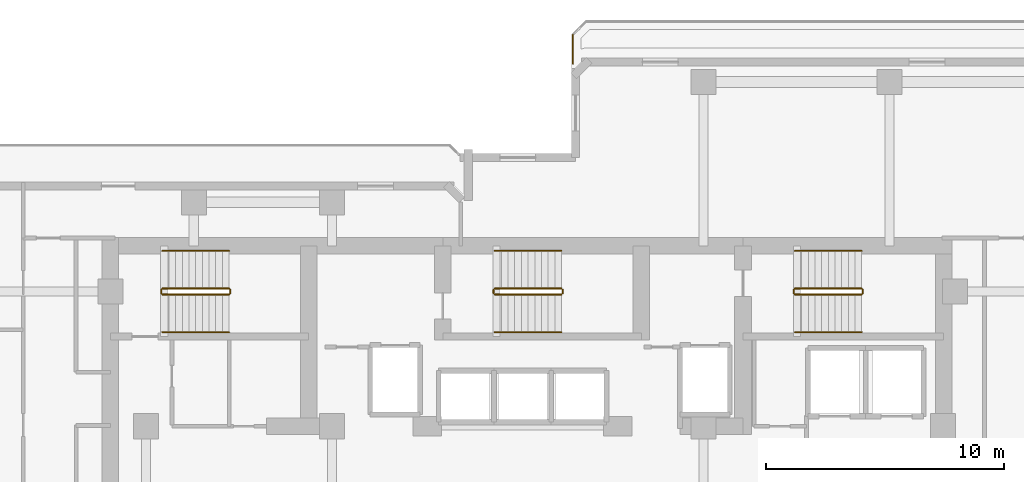
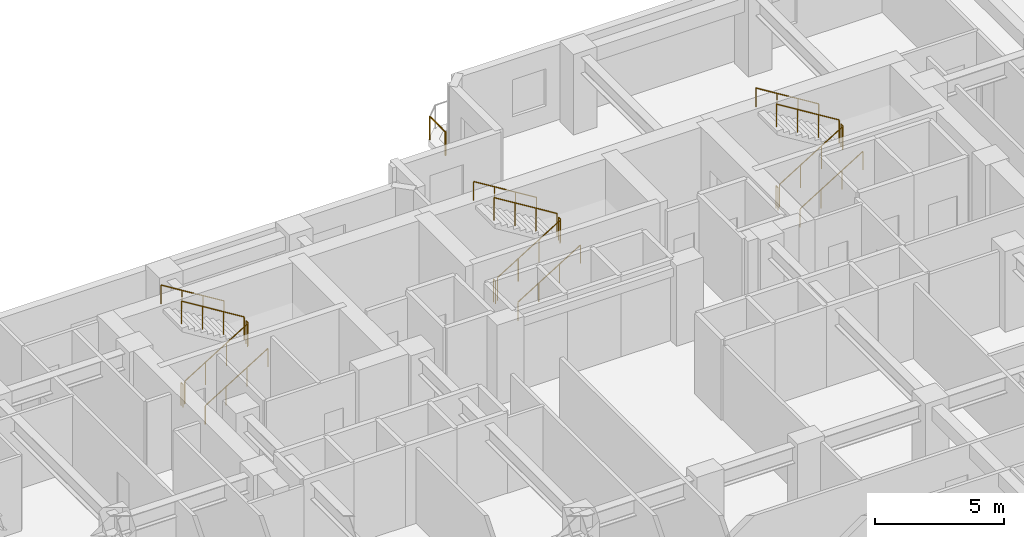
# One storey, part 11 of 11: 19 railings.
"""IFC4 building model written with IfcOpenShell, lengths in metres."""

from ifc_helpers import new_model, si_unit, direction, frame, origin, origin_2d, place, context, subcontext, project, spatial, circle, extrude, material, type_object, element, save


model = new_model("IFC4")

# Units and contexts
model_context = context("Model", 3, precision=1e-05, world=origin(), true_north=direction((0.0, 1.0)))
body_context = subcontext(model_context, "Body", "Model", "MODEL_VIEW")
ifc_project = project(units=[si_unit("LENGTHUNIT", "METRE"), si_unit("AREAUNIT", "SQUARE_METRE"), si_unit("VOLUMEUNIT", "CUBIC_METRE"), si_unit("PLANEANGLEUNIT", "RADIAN"), si_unit("MASSUNIT", "GRAM", prefix="KILO")], contexts=[model_context])

# Site, building, storey
site_placement = place(None, origin())
site = spatial("IfcSite", under=ifc_project, at=site_placement, CompositionType="ELEMENT")
building_placement = place(site_placement, origin())
building = spatial("IfcBuilding", under=site, at=building_placement, Name="Kestravale Grand Hotel", CompositionType="ELEMENT")
storey_placement = place(building_placement, frame((0.0, 0.0, 134.60009765625)))
storey = spatial("IfcBuildingStorey", under=building, at=storey_placement, Name="L33", CompositionType="ELEMENT", Elevation=134.60009765625)

# Railings
ifc_material_1 = material(Name="Champagne-bronze stainless steel and laminated glass guard", Category="steel")
railing_type_1 = type_object("IfcRailingType", Name="RL-EXT-1100", PredefinedType="GUARDRAIL", material=ifc_material_1)
railing_1_placement = place(storey_placement, frame((41.31005859375, 47.97119140625, 0.0)))
element("IfcRailing", 1, at=railing_1_placement, inside=storey, type_object=railing_type_1, Name="L33 outdoor terrace guard 2", PredefinedType="GUARDRAIL", context=body_context, shape_type="SweptSolid", body=[
    extrude(circle(Radius=0.02392578125, at=origin_2d()), frame((0.0, 0.0, 1.09619140625), z_axis=(0.0, 1.0, 0.0), x_axis=(-1.0, 0.0, 0.0)), (0.0, 0.0, 1.0), 1.203857421875),
    extrude(circle(Radius=0.02099609375, at=origin_2d()), origin(), (0.0, 0.0, 1.0), 1.072021484375),
    extrude(circle(Radius=0.02099609375, at=origin_2d()), frame((0.0, 1.203857421875, 0.0)), (0.0, 0.0, 1.0), 1.072021484375),
])
ifc_material_2 = material(Name="Painted tubular steel stair well guard", Category="steel")
railing_type_2 = type_object("IfcRailingType", Name="RL-ST-GRD1100", PredefinedType="GUARDRAIL", material=ifc_material_2)
railing_2_placement = place(storey_placement, frame((24.080078125, 38.280029296875, 0.172607421875)))
element("IfcRailing", 2, at=railing_2_placement, inside=storey, type_object=railing_type_2, Name="L33 ST-1 stair guard 1", PredefinedType="GUARDRAIL", context=body_context, shape_type="SweptSolid", body=[
    extrude(circle(Radius=0.02392578125, at=origin_2d()), frame((0.0, 0.0, 1.076171875), z_axis=(0.851069175582, 0.0, 0.525053576669), x_axis=(0.0, 1.0, 0.0)), (0.0, 0.0, 1.0), 3.289794921875),
    extrude(circle(Radius=0.02099609375, at=origin_2d()), origin(), (0.0, 0.0, 1.0), 1.052001953125),
    extrude(circle(Radius=0.02099609375, at=origin_2d()), frame((0.933349609375, 0.0, 0.57568359375)), (0.0, 0.0, 1.0), 1.052001953125),
    extrude(circle(Radius=0.02099609375, at=origin_2d()), frame((1.866455078125, 0.0, 1.151611328125)), (0.0, 0.0, 1.0), 1.052001953125),
    extrude(circle(Radius=0.02099609375, at=origin_2d()), frame((2.7998046875, 0.0, 1.727294921875)), (0.0, 0.0, 1.0), 1.052001953125),
])
railing_3_placement = place(storey_placement, frame((26.929931640625, 38.330078125, 1.89990234375)))
element("IfcRailing", 3, at=railing_3_placement, inside=storey, type_object=railing_type_2, Name="L33 ST-1 stair guard 2", PredefinedType="GUARDRAIL", context=body_context, shape_type="SweptSolid", body=[
    extrude(circle(Radius=0.02392578125, at=origin_2d()), frame((0.0, 0.0, 1.076171875), z_axis=(0.0, 1.0, 0.0), x_axis=(-1.0, 0.0, 0.0)), (0.0, 0.0, 1.0), 0.14990234375),
    extrude(circle(Radius=0.02099609375, at=origin_2d()), origin(), (0.0, 0.0, 1.0), 1.052001953125),
    extrude(circle(Radius=0.02099609375, at=origin_2d()), frame((0.0, 0.14990234375, 0.0)), (0.0, 0.0, 1.0), 1.052001953125),
])
railing_4_placement = place(storey_placement, frame((26.8798828125, 38.530029296875, 2.072509765625)))
element("IfcRailing", 4, at=railing_4_placement, inside=storey, type_object=railing_type_2, Name="L33 ST-1 stair guard 3", PredefinedType="GUARDRAIL", context=body_context, shape_type="SweptSolid", body=[
    extrude(circle(Radius=0.02392578125, at=origin_2d()), frame((0.0, 0.0, 1.076171875), z_axis=(-0.851069175582, 0.0, 0.525053576669), x_axis=(0.0, -1.0, 0.0)), (0.0, 0.0, 1.0), 3.289794921875),
    extrude(circle(Radius=0.02099609375, at=origin_2d()), origin(), (0.0, 0.0, 1.0), 1.052001953125),
    extrude(circle(Radius=0.02099609375, at=origin_2d()), frame((-0.933349609375, 0.0, 0.57568359375)), (0.0, 0.0, 1.0), 1.052001953125),
    extrude(circle(Radius=0.02099609375, at=origin_2d()), frame((-1.866455078125, 0.0, 1.151611328125)), (0.0, 0.0, 1.0), 1.052001953125),
    extrude(circle(Radius=0.02099609375, at=origin_2d()), frame((-2.7998046875, 0.0, 1.727294921875)), (0.0, 0.0, 1.0), 1.052001953125),
])
railing_5_placement = place(storey_placement, frame((24.030029296875, 38.330078125, 0.0)))
element("IfcRailing", 5, at=railing_5_placement, inside=storey, type_object=railing_type_2, Name="L33 ST-1 stair guard 4", PredefinedType="GUARDRAIL", context=body_context, shape_type="SweptSolid", body=[
    extrude(circle(Radius=0.02392578125, at=origin_2d()), frame((0.0, 0.0, 1.076171875), z_axis=(0.0, 1.0, 0.0), x_axis=(-1.0, 0.0, 0.0)), (0.0, 0.0, 1.0), 0.14990234375),
    extrude(circle(Radius=0.02099609375, at=origin_2d()), origin(), (0.0, 0.0, 1.0), 1.052001953125),
    extrude(circle(Radius=0.02099609375, at=origin_2d()), frame((0.0, 0.14990234375, 0.0)), (0.0, 0.0, 1.0), 1.052001953125),
])
railing_6_placement = place(storey_placement, frame((38.030029296875, 38.280029296875, 0.172607421875)))
element("IfcRailing", 6, at=railing_6_placement, inside=storey, type_object=railing_type_2, Name="L33 ST-2 stair guard 1", PredefinedType="GUARDRAIL", context=body_context, shape_type="SweptSolid", body=[
    extrude(circle(Radius=0.02392578125, at=origin_2d()), frame((0.0, 0.0, 1.076171875), z_axis=(0.851089632645, 0.0, 0.525020415988), x_axis=(0.0, 1.0, 0.0)), (0.0, 0.0, 1.0), 3.2900390625),
    extrude(circle(Radius=0.02099609375, at=origin_2d()), origin(), (0.0, 0.0, 1.0), 1.052001953125),
    extrude(circle(Radius=0.02099609375, at=origin_2d()), frame((0.933349609375, 0.0, 0.57568359375)), (0.0, 0.0, 1.0), 1.052001953125),
    extrude(circle(Radius=0.02099609375, at=origin_2d()), frame((1.86669921875, 0.0, 1.151611328125)), (0.0, 0.0, 1.0), 1.052001953125),
    extrude(circle(Radius=0.02099609375, at=origin_2d()), frame((2.800048828125, 0.0, 1.727294921875)), (0.0, 0.0, 1.0), 1.052001953125),
])
railing_7_placement = place(storey_placement, frame((40.8798828125, 38.330078125, 1.89990234375)))
element("IfcRailing", 7, at=railing_7_placement, inside=storey, type_object=railing_type_2, Name="L33 ST-2 stair guard 2", PredefinedType="GUARDRAIL", context=body_context, shape_type="SweptSolid", body=[
    extrude(circle(Radius=0.02392578125, at=origin_2d()), frame((0.0, 0.0, 1.076171875), z_axis=(0.0, 1.0, 0.0), x_axis=(-1.0, 0.0, 0.0)), (0.0, 0.0, 1.0), 0.14990234375),
    extrude(circle(Radius=0.02099609375, at=origin_2d()), origin(), (0.0, 0.0, 1.0), 1.052001953125),
    extrude(circle(Radius=0.02099609375, at=origin_2d()), frame((0.0, 0.14990234375, 0.0)), (0.0, 0.0, 1.0), 1.052001953125),
])
railing_8_placement = place(storey_placement, frame((40.830078125, 38.530029296875, 2.072509765625)))
element("IfcRailing", 8, at=railing_8_placement, inside=storey, type_object=railing_type_2, Name="L33 ST-2 stair guard 3", PredefinedType="GUARDRAIL", context=body_context, shape_type="SweptSolid", body=[
    extrude(circle(Radius=0.02392578125, at=origin_2d()), frame((0.0, 0.0, 1.076171875), z_axis=(-0.851089632645, 0.0, 0.525020415988), x_axis=(0.0, -1.0, 0.0)), (0.0, 0.0, 1.0), 3.2900390625),
    extrude(circle(Radius=0.02099609375, at=origin_2d()), origin(), (0.0, 0.0, 1.0), 1.052001953125),
    extrude(circle(Radius=0.02099609375, at=origin_2d()), frame((-0.933349609375, 0.0, 0.57568359375)), (0.0, 0.0, 1.0), 1.052001953125),
    extrude(circle(Radius=0.02099609375, at=origin_2d()), frame((-1.86669921875, 0.0, 1.151611328125)), (0.0, 0.0, 1.0), 1.052001953125),
    extrude(circle(Radius=0.02099609375, at=origin_2d()), frame((-2.800048828125, 0.0, 1.727294921875)), (0.0, 0.0, 1.0), 1.052001953125),
])
railing_9_placement = place(storey_placement, frame((37.97998046875, 38.330078125, 0.0)))
element("IfcRailing", 9, at=railing_9_placement, inside=storey, type_object=railing_type_2, Name="L33 ST-2 stair guard 4", PredefinedType="GUARDRAIL", context=body_context, shape_type="SweptSolid", body=[
    extrude(circle(Radius=0.02392578125, at=origin_2d()), frame((0.0, 0.0, 1.076171875), z_axis=(0.0, 1.0, 0.0), x_axis=(-1.0, 0.0, 0.0)), (0.0, 0.0, 1.0), 0.14990234375),
    extrude(circle(Radius=0.02099609375, at=origin_2d()), origin(), (0.0, 0.0, 1.0), 1.052001953125),
    extrude(circle(Radius=0.02099609375, at=origin_2d()), frame((0.0, 0.14990234375, 0.0)), (0.0, 0.0, 1.0), 1.052001953125),
])
railing_10_placement = place(storey_placement, frame((50.6298828125, 38.280029296875, 0.172607421875)))
element("IfcRailing", 10, at=railing_10_placement, inside=storey, type_object=railing_type_2, Name="L33 ST-3 stair guard 1", PredefinedType="GUARDRAIL", context=body_context, shape_type="SweptSolid", body=[
    extrude(circle(Radius=0.02392578125, at=origin_2d()), frame((0.0, 0.0, 1.076171875), z_axis=(0.851089632645, 0.0, 0.525020415988), x_axis=(0.0, 1.0, 0.0)), (0.0, 0.0, 1.0), 3.2900390625),
    extrude(circle(Radius=0.02099609375, at=origin_2d()), origin(), (0.0, 0.0, 1.0), 1.052001953125),
    extrude(circle(Radius=0.02099609375, at=origin_2d()), frame((0.933349609375, 0.0, 0.57568359375)), (0.0, 0.0, 1.0), 1.052001953125),
    extrude(circle(Radius=0.02099609375, at=origin_2d()), frame((1.86669921875, 0.0, 1.151611328125)), (0.0, 0.0, 1.0), 1.052001953125),
    extrude(circle(Radius=0.02099609375, at=origin_2d()), frame((2.800048828125, 0.0, 1.727294921875)), (0.0, 0.0, 1.0), 1.052001953125),
])
railing_11_placement = place(storey_placement, frame((53.47998046875, 38.330078125, 1.89990234375)))
element("IfcRailing", 11, at=railing_11_placement, inside=storey, type_object=railing_type_2, Name="L33 ST-3 stair guard 2", PredefinedType="GUARDRAIL", context=body_context, shape_type="SweptSolid", body=[
    extrude(circle(Radius=0.02392578125, at=origin_2d()), frame((0.0, 0.0, 1.076171875), z_axis=(0.0, 1.0, 0.0), x_axis=(-1.0, 0.0, 0.0)), (0.0, 0.0, 1.0), 0.14990234375),
    extrude(circle(Radius=0.02099609375, at=origin_2d()), origin(), (0.0, 0.0, 1.0), 1.052001953125),
    extrude(circle(Radius=0.02099609375, at=origin_2d()), frame((0.0, 0.14990234375, 0.0)), (0.0, 0.0, 1.0), 1.052001953125),
])
railing_12_placement = place(storey_placement, frame((53.429931640625, 38.530029296875, 2.072509765625)))
element("IfcRailing", 12, at=railing_12_placement, inside=storey, type_object=railing_type_2, Name="L33 ST-3 stair guard 3", PredefinedType="GUARDRAIL", context=body_context, shape_type="SweptSolid", body=[
    extrude(circle(Radius=0.02392578125, at=origin_2d()), frame((0.0, 0.0, 1.076171875), z_axis=(-0.851089632645, 0.0, 0.525020415988), x_axis=(0.0, -1.0, 0.0)), (0.0, 0.0, 1.0), 3.2900390625),
    extrude(circle(Radius=0.02099609375, at=origin_2d()), origin(), (0.0, 0.0, 1.0), 1.052001953125),
    extrude(circle(Radius=0.02099609375, at=origin_2d()), frame((-0.933349609375, 0.0, 0.57568359375)), (0.0, 0.0, 1.0), 1.052001953125),
    extrude(circle(Radius=0.02099609375, at=origin_2d()), frame((-1.86669921875, 0.0, 1.151611328125)), (0.0, 0.0, 1.0), 1.052001953125),
    extrude(circle(Radius=0.02099609375, at=origin_2d()), frame((-2.800048828125, 0.0, 1.727294921875)), (0.0, 0.0, 1.0), 1.052001953125),
])
railing_13_placement = place(storey_placement, frame((50.580078125, 38.330078125, 0.0)))
element("IfcRailing", 13, at=railing_13_placement, inside=storey, type_object=railing_type_2, Name="L33 ST-3 stair guard 4", PredefinedType="GUARDRAIL", context=body_context, shape_type="SweptSolid", body=[
    extrude(circle(Radius=0.02392578125, at=origin_2d()), frame((0.0, 0.0, 1.076171875), z_axis=(0.0, 1.0, 0.0), x_axis=(-1.0, 0.0, 0.0)), (0.0, 0.0, 1.0), 0.14990234375),
    extrude(circle(Radius=0.02099609375, at=origin_2d()), origin(), (0.0, 0.0, 1.0), 1.052001953125),
    extrude(circle(Radius=0.02099609375, at=origin_2d()), frame((0.0, 0.14990234375, 0.0)), (0.0, 0.0, 1.0), 1.052001953125),
])
ifc_material_3 = material(Name="Brushed stainless steel wall handrail", Category="steel")
railing_type_3 = type_object("IfcRailingType", Name="RL-ST-HND900", PredefinedType="HANDRAIL", material=ifc_material_3)
railing_14_placement = place(storey_placement, frame((24.080078125, 36.699951171875, 0.172607421875)))
element("IfcRailing", 14, at=railing_14_placement, inside=storey, type_object=railing_type_3, Name="L33 ST-1 stair handrail 1", PredefinedType="HANDRAIL", context=body_context, shape_type="SweptSolid", body=[
    extrude(circle(Radius=0.02392578125, at=origin_2d()), frame((0.0, 0.0, 0.8759765625), z_axis=(0.851069175582, 0.0, 0.525053576669), x_axis=(0.0, 1.0, 0.0)), (0.0, 0.0, 1.0), 3.289794921875),
    extrude(circle(Radius=0.02099609375, at=origin_2d()), origin(), (0.0, 0.0, 1.0), 0.851806640625),
    extrude(circle(Radius=0.02099609375, at=origin_2d()), frame((0.933349609375, 0.0, 0.57568359375)), (0.0, 0.0, 1.0), 0.851806640625),
    extrude(circle(Radius=0.02099609375, at=origin_2d()), frame((1.866455078125, 0.0, 1.151611328125)), (0.0, 0.0, 1.0), 0.851806640625),
    extrude(circle(Radius=0.02099609375, at=origin_2d()), frame((2.7998046875, 0.0, 1.727294921875)), (0.0, 0.0, 1.0), 0.851806640625),
])
railing_15_placement = place(storey_placement, frame((26.8798828125, 40.110107421875, 2.072509765625)))
element("IfcRailing", 15, at=railing_15_placement, inside=storey, type_object=railing_type_3, Name="L33 ST-1 stair handrail 2", PredefinedType="HANDRAIL", context=body_context, shape_type="SweptSolid", body=[
    extrude(circle(Radius=0.02392578125, at=origin_2d()), frame((0.0, 0.0, 0.8759765625), z_axis=(-0.851069175582, 0.0, 0.525053576669), x_axis=(0.0, -1.0, 0.0)), (0.0, 0.0, 1.0), 3.289794921875),
    extrude(circle(Radius=0.02099609375, at=origin_2d()), origin(), (0.0, 0.0, 1.0), 0.851806640625),
    extrude(circle(Radius=0.02099609375, at=origin_2d()), frame((-0.933349609375, 0.0, 0.57568359375)), (0.0, 0.0, 1.0), 0.851806640625),
    extrude(circle(Radius=0.02099609375, at=origin_2d()), frame((-1.866455078125, 0.0, 1.151611328125)), (0.0, 0.0, 1.0), 0.851806640625),
    extrude(circle(Radius=0.02099609375, at=origin_2d()), frame((-2.7998046875, 0.0, 1.727294921875)), (0.0, 0.0, 1.0), 0.851806640625),
])
railing_16_placement = place(storey_placement, frame((38.030029296875, 36.699951171875, 0.172607421875)))
element("IfcRailing", 16, at=railing_16_placement, inside=storey, type_object=railing_type_3, Name="L33 ST-2 stair handrail 1", PredefinedType="HANDRAIL", context=body_context, shape_type="SweptSolid", body=[
    extrude(circle(Radius=0.02392578125, at=origin_2d()), frame((0.0, 0.0, 0.8759765625), z_axis=(0.851089632645, 0.0, 0.525020415988), x_axis=(0.0, 1.0, 0.0)), (0.0, 0.0, 1.0), 3.2900390625),
    extrude(circle(Radius=0.02099609375, at=origin_2d()), origin(), (0.0, 0.0, 1.0), 0.851806640625),
    extrude(circle(Radius=0.02099609375, at=origin_2d()), frame((0.933349609375, 0.0, 0.57568359375)), (0.0, 0.0, 1.0), 0.851806640625),
    extrude(circle(Radius=0.02099609375, at=origin_2d()), frame((1.86669921875, 0.0, 1.151611328125)), (0.0, 0.0, 1.0), 0.851806640625),
    extrude(circle(Radius=0.02099609375, at=origin_2d()), frame((2.800048828125, 0.0, 1.727294921875)), (0.0, 0.0, 1.0), 0.851806640625),
])
railing_17_placement = place(storey_placement, frame((40.830078125, 40.110107421875, 2.072509765625)))
element("IfcRailing", 17, at=railing_17_placement, inside=storey, type_object=railing_type_3, Name="L33 ST-2 stair handrail 2", PredefinedType="HANDRAIL", context=body_context, shape_type="SweptSolid", body=[
    extrude(circle(Radius=0.02392578125, at=origin_2d()), frame((0.0, 0.0, 0.8759765625), z_axis=(-0.851089632645, 0.0, 0.525020415988), x_axis=(0.0, -1.0, 0.0)), (0.0, 0.0, 1.0), 3.2900390625),
    extrude(circle(Radius=0.02099609375, at=origin_2d()), origin(), (0.0, 0.0, 1.0), 0.851806640625),
    extrude(circle(Radius=0.02099609375, at=origin_2d()), frame((-0.933349609375, 0.0, 0.57568359375)), (0.0, 0.0, 1.0), 0.851806640625),
    extrude(circle(Radius=0.02099609375, at=origin_2d()), frame((-1.86669921875, 0.0, 1.151611328125)), (0.0, 0.0, 1.0), 0.851806640625),
    extrude(circle(Radius=0.02099609375, at=origin_2d()), frame((-2.800048828125, 0.0, 1.727294921875)), (0.0, 0.0, 1.0), 0.851806640625),
])
railing_18_placement = place(storey_placement, frame((50.6298828125, 36.699951171875, 0.172607421875)))
element("IfcRailing", 18, at=railing_18_placement, inside=storey, type_object=railing_type_3, Name="L33 ST-3 stair handrail 1", PredefinedType="HANDRAIL", context=body_context, shape_type="SweptSolid", body=[
    extrude(circle(Radius=0.02392578125, at=origin_2d()), frame((0.0, 0.0, 0.8759765625), z_axis=(0.851089632645, 0.0, 0.525020415988), x_axis=(0.0, 1.0, 0.0)), (0.0, 0.0, 1.0), 3.2900390625),
    extrude(circle(Radius=0.02099609375, at=origin_2d()), origin(), (0.0, 0.0, 1.0), 0.851806640625),
    extrude(circle(Radius=0.02099609375, at=origin_2d()), frame((0.933349609375, 0.0, 0.57568359375)), (0.0, 0.0, 1.0), 0.851806640625),
    extrude(circle(Radius=0.02099609375, at=origin_2d()), frame((1.86669921875, 0.0, 1.151611328125)), (0.0, 0.0, 1.0), 0.851806640625),
    extrude(circle(Radius=0.02099609375, at=origin_2d()), frame((2.800048828125, 0.0, 1.727294921875)), (0.0, 0.0, 1.0), 0.851806640625),
])
railing_19_placement = place(storey_placement, frame((53.429931640625, 40.110107421875, 2.072509765625)))
element("IfcRailing", 19, at=railing_19_placement, inside=storey, type_object=railing_type_3, Name="L33 ST-3 stair handrail 2", PredefinedType="HANDRAIL", context=body_context, shape_type="SweptSolid", body=[
    extrude(circle(Radius=0.02392578125, at=origin_2d()), frame((0.0, 0.0, 0.8759765625), z_axis=(-0.851089632645, 0.0, 0.525020415988), x_axis=(0.0, -1.0, 0.0)), (0.0, 0.0, 1.0), 3.2900390625),
    extrude(circle(Radius=0.02099609375, at=origin_2d()), origin(), (0.0, 0.0, 1.0), 0.851806640625),
    extrude(circle(Radius=0.02099609375, at=origin_2d()), frame((-0.933349609375, 0.0, 0.57568359375)), (0.0, 0.0, 1.0), 0.851806640625),
    extrude(circle(Radius=0.02099609375, at=origin_2d()), frame((-1.86669921875, 0.0, 1.151611328125)), (0.0, 0.0, 1.0), 0.851806640625),
    extrude(circle(Radius=0.02099609375, at=origin_2d()), frame((-2.800048828125, 0.0, 1.727294921875)), (0.0, 0.0, 1.0), 0.851806640625),
])

save(model, "model.ifc")
